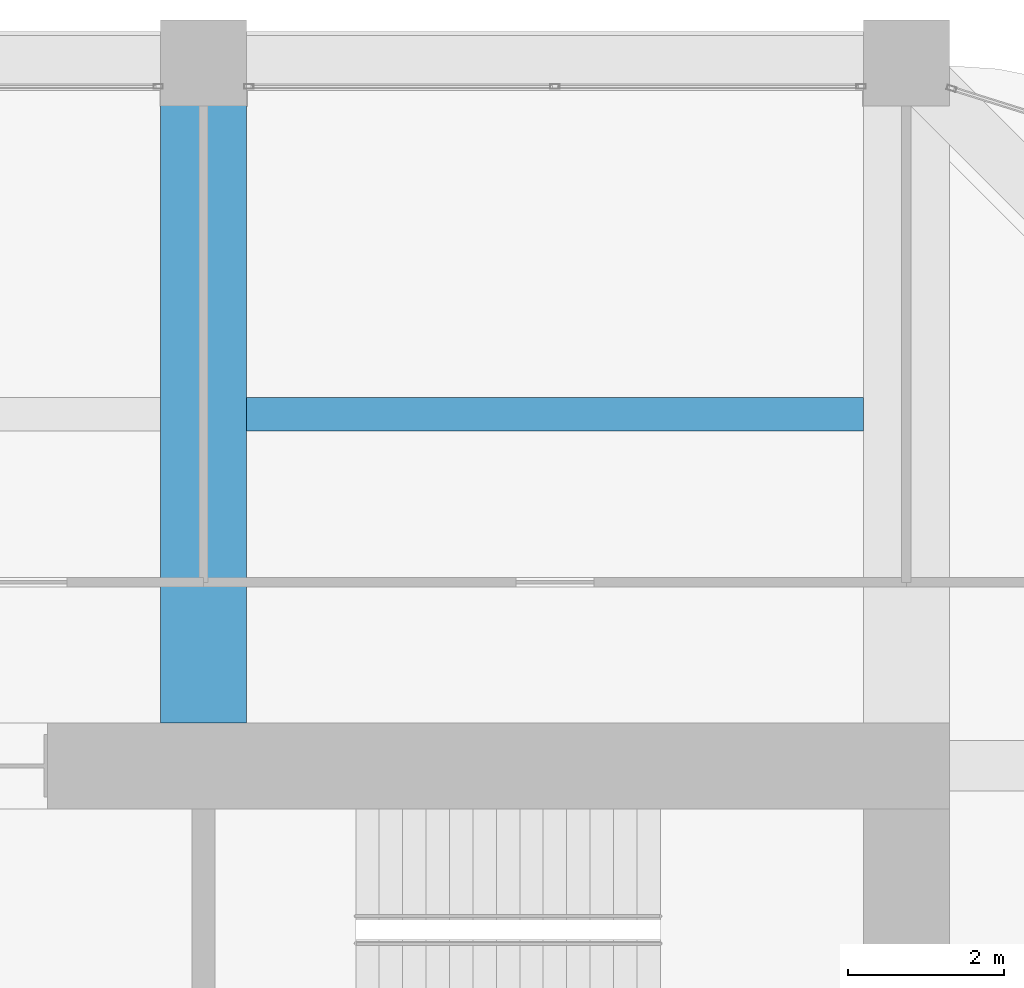
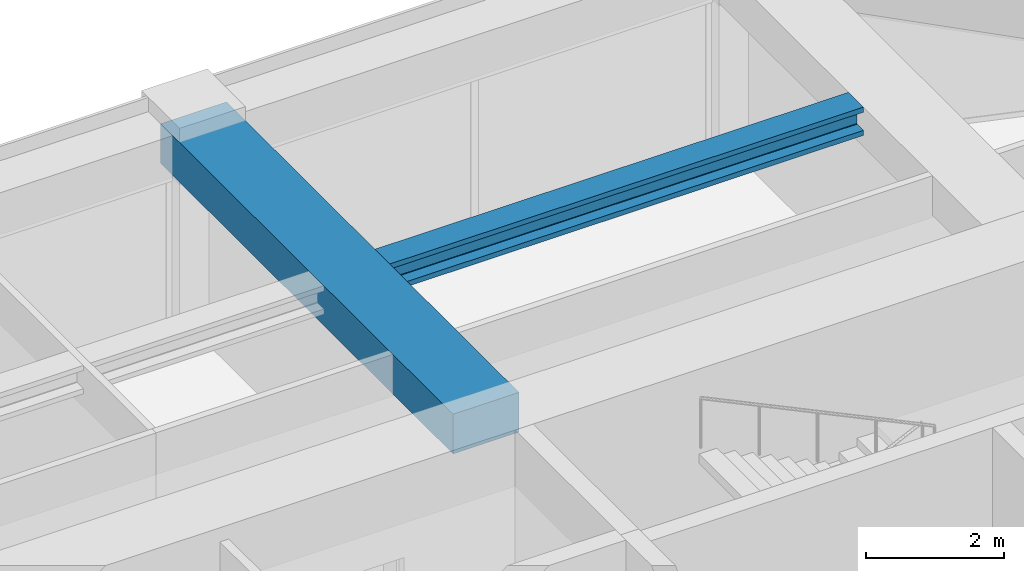
# One storey, part 34 of 44: 2 beams.
"""IFC4 building model written with IfcOpenShell, lengths in metres."""

from ifc_helpers import new_model, si_unit, direction, frame, origin, origin_2d, place, context, subcontext, project, spatial, rectangle, i_section, extrude, material, material_profile, profile_set, type_object, element, save


model = new_model("IFC4")

# Units and contexts
model_context = context("Model", 3, precision=1e-05, world=origin(), true_north=direction((0.0, 1.0)))
body_context = subcontext(model_context, "Body", "Model", "MODEL_VIEW")
ifc_project = project(units=[si_unit("LENGTHUNIT", "METRE"), si_unit("AREAUNIT", "SQUARE_METRE"), si_unit("VOLUMEUNIT", "CUBIC_METRE"), si_unit("PLANEANGLEUNIT", "RADIAN"), si_unit("MASSUNIT", "GRAM", prefix="KILO")], contexts=[model_context])

# Site, building, storey
site_placement = place(None, origin())
site = spatial("IfcSite", under=ifc_project, at=site_placement, CompositionType="ELEMENT")
building_placement = place(site_placement, origin())
building = spatial("IfcBuilding", under=site, at=building_placement, Name="Zorevar Civic Tower", CompositionType="ELEMENT")
storey_placement = place(building_placement, frame((0.0, 0.0, 255.39990234375)))
storey = spatial("IfcBuildingStorey", under=building, at=storey_placement, Name="L62", CompositionType="ELEMENT", Elevation=255.39990234375)

# Beams
ifc_material_1 = material(Name="Concrete C50/60", Category="concrete")
ifc_material_profile_1 = material_profile(ifc_material_1, rectangle(XDim=1.10009765625, YDim=0.699951171875, at=origin_2d()), Name="RC 1100x700")
ifc_profile_set_1 = profile_set([ifc_material_profile_1], Name="Concrete C50/60")
beam_type_1 = type_object("IfcBeamType", Name="Beam RC 1100x700", PredefinedType="BEAM", material=ifc_profile_set_1)
beam_1_placement = place(storey_placement, frame((36.0, 36.550048828125, 3.400146484375), z_axis=(0.0, 1.0, 0.0), x_axis=(-1.0, 0.0, 0.0)))
element("IfcBeam", 1, at=beam_1_placement, inside=storey, type_object=beam_type_1, Name="Girder L63", PredefinedType="BEAM", context=body_context, shape_type="SweptSolid", body=[
    extrude(rectangle(XDim=1.10009765625, YDim=0.699951171875, at=origin_2d()), origin(), (0.0, 0.0, 1.0), 8.449951171875),
])
ifc_material_2 = material(Name="Steel S460M (HISTAR 460)", Category="steel")
ifc_material_profile_2 = material_profile(ifc_material_2, i_section(OverallWidth=0.431884765625, OverallDepth=0.498046875, WebThickness=0.0556640625, FlangeThickness=0.0888671875, FilletRadius=0.014892578125, at=origin_2d()), Name="HD 400x744")
ifc_profile_set_2 = profile_set([ifc_material_profile_2], Name="Steel S460M (HISTAR 460)")
beam_type_2 = type_object("IfcBeamType", Name="Core bay beam HD 400x744", PredefinedType="BEAM", material=ifc_profile_set_2)
beam_2_placement = place(storey_placement, frame((36.550048828125, 40.5, 3.5009765625), z_axis=(1.0, 0.0, 0.0), x_axis=(0.0, 1.0, 0.0)))
element("IfcBeam", 2, at=beam_2_placement, inside=storey, type_object=beam_type_2, Name="Secondary beam L63", PredefinedType="BEAM", context=body_context, shape_type="SweptSolid", body=[
    extrude(i_section(OverallWidth=0.431884765625, OverallDepth=0.498046875, WebThickness=0.0556640625, FlangeThickness=0.0888671875, FilletRadius=0.014892578125, at=origin_2d()), origin(), (0.0, 0.0, 1.0), 7.89990234375),
])

save(model, "model.ifc")
